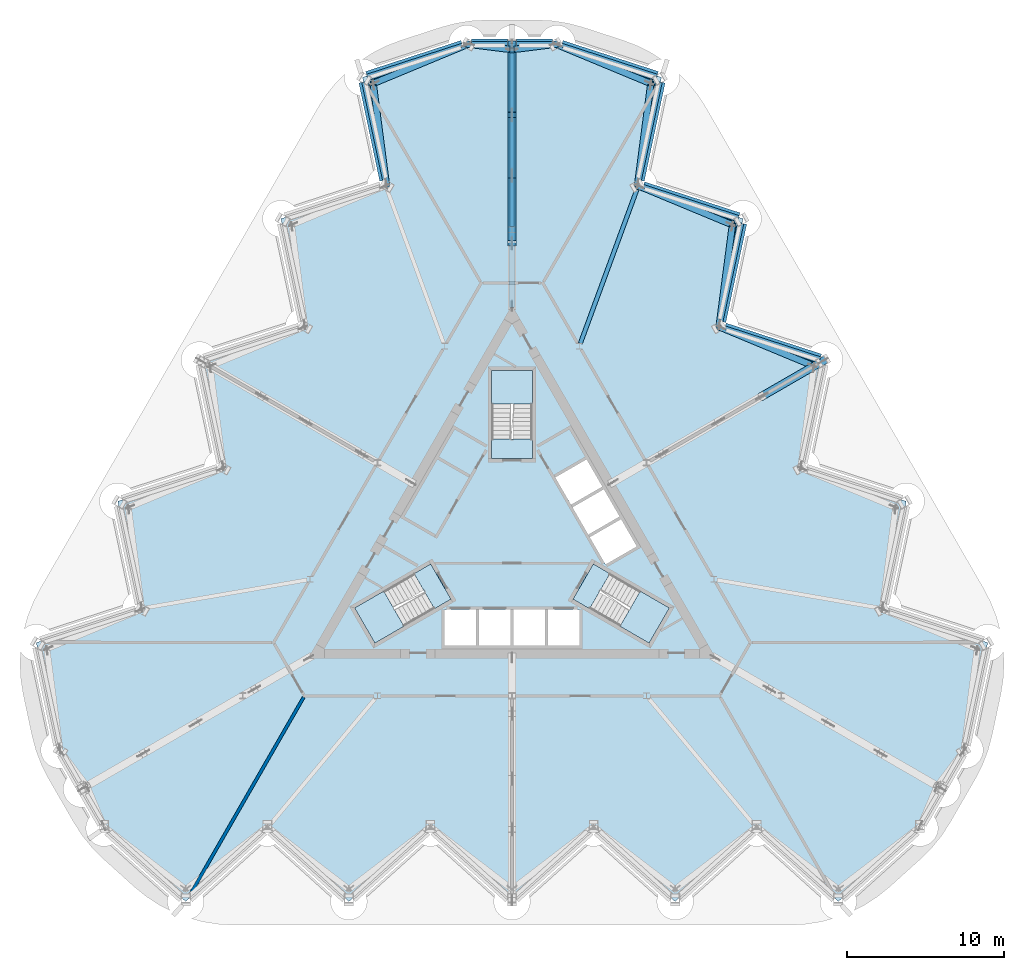
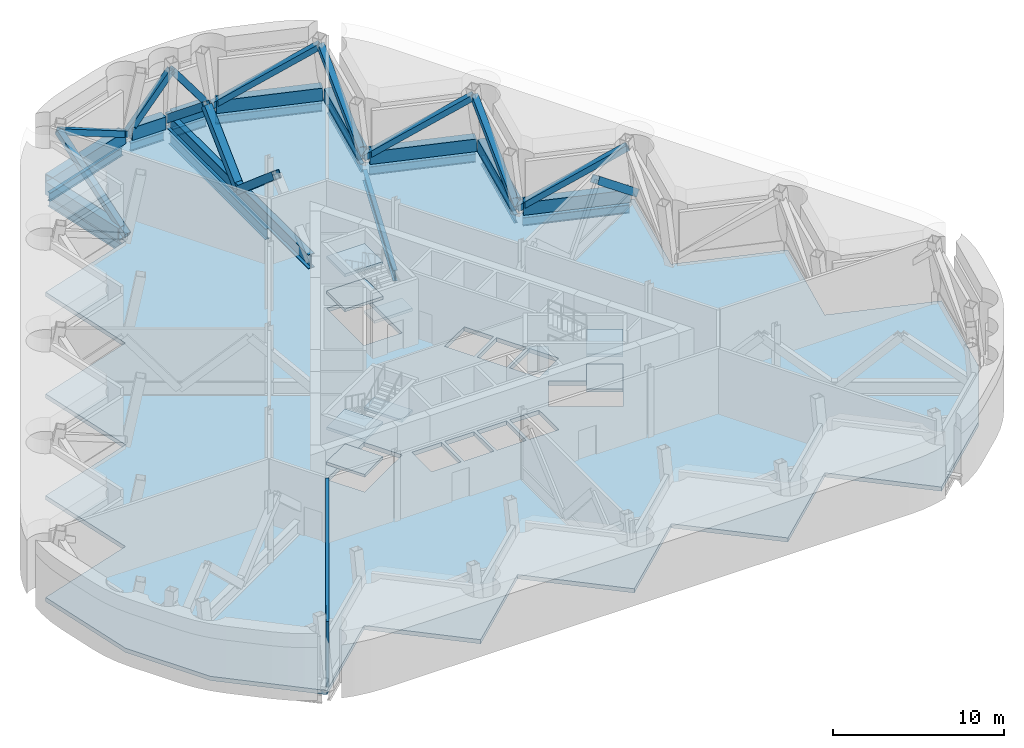
# One storey, part 6 of 16: 23 members, 11 beams, 10 slabs, 1 wall, 3 elements without a shape of their own.
"""IFC4 building model written with IfcOpenShell, lengths in metres."""

from ifc_helpers import new_model, si_unit, direction, frame, frame_2d, origin, origin_2d, place, context, subcontext, project, spatial, polyline, rectangle, hollow_rectangle, i_section, outline, extrude, material, layer, layer_set, material_profile, profile_set, type_object, element, aggregate, save


model = new_model("IFC4")

# Units and contexts
model_context = context("Model", 3, precision=1e-05, world=origin(), true_north=direction((0.0, 1.0)))
body_context = subcontext(model_context, "Body", "Model", "MODEL_VIEW")
ifc_project = project(units=[si_unit("LENGTHUNIT", "METRE"), si_unit("AREAUNIT", "SQUARE_METRE"), si_unit("VOLUMEUNIT", "CUBIC_METRE"), si_unit("PLANEANGLEUNIT", "RADIAN"), si_unit("MASSUNIT", "GRAM", prefix="KILO")], contexts=[model_context])

# Site, building, storey
site_placement = place(None, origin())
site = spatial("IfcSite", under=ifc_project, at=site_placement, CompositionType="ELEMENT")
building_placement = place(site_placement, origin())
building = spatial("IfcBuilding", under=site, at=building_placement, Name="Cormorant Prow Tower", CompositionType="ELEMENT")
storey_placement = place(building_placement, frame((0.0, 0.0, 356.0)))
storey = spatial("IfcBuildingStorey", under=building, at=storey_placement, Name="L79", CompositionType="ELEMENT", Elevation=356.0)

# Members
ifc_material_1 = material(Name="Structural steel ASTM A572 Gr 50", Category="steel")
ifc_material_profile_1 = material_profile(ifc_material_1, hollow_rectangle(XDim=0.60009765625, YDim=0.89990234375, WallThickness=0.06005859375, at=origin_2d()), Name="Box 900x600x60")
ifc_profile_set_1 = profile_set([ifc_material_profile_1], Name="Structural steel ASTM A572 Gr 50")
member_type_1 = type_object("IfcMemberType", Name="Belt truss bottom chord 900x600x60", PredefinedType="CHORD", material=ifc_profile_set_1)
for number, where, z_axis, x_axis, name in (
    (1, (19.640380859375, 11.5966796875, 0.449951171875), (-0.95105314132, 0.309027381286, 0.0), (-0.309027381286, -0.95105314132, 0.0), "Belt truss bottom chord ENE05-ENE06 L79"),
    (2, (13.334228515625, 13.95947265625, 0.449951171875), (0.207920386839, 0.978145752297, 0.0), (-0.978145752297, 0.207920386839, 0.0), "Belt truss bottom chord ENE06-ENE07 L79"),
    (3, (14.441162109375, 20.601806640625, 0.449951171875), (-0.95105314132, 0.309027381286, 0.0), (-0.309027381286, -0.95105314132, 0.0), "Belt truss bottom chord ENE07-ENE08 L79"),
):
    element("IfcMember", number, at=place(storey_placement, frame(where, z_axis=z_axis, x_axis=x_axis)), inside=storey, type_object=member_type_1, Name=name, PredefinedType="CHORD", context=body_context, shape_type="SweptSolid", body=[
        extrude(hollow_rectangle(XDim=0.60009765625, YDim=0.89990234375, WallThickness=0.06005859375, at=origin_2d()), origin(), (0.0, 0.0, 1.0), 6.39599609375),
    ])
member_1_placement = place(storey_placement, frame((8.13525390625, 22.96435546875, 0.449951171875), z_axis=(0.20791262393, 0.978147402394, 0.0), x_axis=(-0.978147402394, 0.20791262393, 0.0)))
element("IfcMember", 4, at=member_1_placement, inside=storey, type_object=member_type_1, Name="Belt truss bottom chord ENE08-ENE09 L79", PredefinedType="CHORD", context=body_context, shape_type="SweptSolid", body=[
    extrude(hollow_rectangle(XDim=0.60009765625, YDim=0.89990234375, WallThickness=0.06005859375, at=origin_2d()), origin(), (0.0, 0.0, 1.0), 6.396240234375),
])
member_2_placement = place(storey_placement, frame((9.2421875, 29.60693359375, 0.449951171875), z_axis=(-0.951064359156, 0.308992855489, 0.0), x_axis=(-0.308992855489, -0.951064359156, 0.0)))
element("IfcMember", 5, at=member_2_placement, inside=storey, type_object=member_type_1, Name="Belt truss bottom chord ENE09-N00 L79", PredefinedType="CHORD", context=body_context, shape_type="SweptSolid", body=[
    extrude(hollow_rectangle(XDim=0.60009765625, YDim=0.89990234375, WallThickness=0.06005859375, at=origin_2d()), origin(), (0.0, 0.0, 1.0), 6.39599609375),
])
for number, where, z_axis, x_axis, name in (
    (6, (2.57373046875, 31.676025390625, 0.449951171875), (-1.0, 0.0, 0.0), (0.0, -1.0, 0.0), "Belt truss bottom chord N00-N01 L79"),
    (7, (-0.300048828125, 31.676025390625, 0.449951171875), (-1.0, 0.0, 0.0), (0.0, -1.0, 0.0), "Belt truss bottom chord N01-WNW00 L79"),
):
    element("IfcMember", number, at=place(storey_placement, frame(where, z_axis=z_axis, x_axis=x_axis)), inside=storey, type_object=member_type_1, Name=name, PredefinedType="CHORD", context=body_context, shape_type="SweptSolid", body=[
        extrude(hollow_rectangle(XDim=0.60009765625, YDim=0.89990234375, WallThickness=0.06005859375, at=origin_2d()), origin(), (0.0, 0.0, 1.0), 2.273681640625),
    ])
member_3_placement = place(storey_placement, frame((-3.1591796875, 31.583251953125, 0.449951171875), z_axis=(-0.951064359156, -0.308992855489, 0.0), x_axis=(0.308992855489, -0.951064359156, 0.0)))
element("IfcMember", 8, at=member_3_placement, inside=storey, type_object=member_type_1, Name="Belt truss bottom chord WNW00-WNW01 L79", PredefinedType="CHORD", context=body_context, shape_type="SweptSolid", body=[
    extrude(hollow_rectangle(XDim=0.60009765625, YDim=0.89990234375, WallThickness=0.06005859375, at=origin_2d()), origin(), (0.0, 0.0, 1.0), 6.39599609375),
])
member_4_placement = place(storey_placement, frame((-9.465087890625, 29.220703125, 0.449951171875), z_axis=(0.20791262393, -0.978147402394, 0.0), x_axis=(0.978147402394, 0.20791262393, 0.0)))
element("IfcMember", 9, at=member_4_placement, inside=storey, type_object=member_type_1, Name="Belt truss bottom chord WNW01-WNW02 L79", PredefinedType="CHORD", context=body_context, shape_type="SweptSolid", body=[
    extrude(hollow_rectangle(XDim=0.60009765625, YDim=0.89990234375, WallThickness=0.06005859375, at=origin_2d()), origin(), (0.0, 0.0, 1.0), 6.396240234375),
])
ifc_material_2 = material(Name="Structural steel ASTM A500 Gr C", Category="steel")
ifc_material_profile_2 = material_profile(ifc_material_2, hollow_rectangle(XDim=0.406494140625, YDim=0.406494140625, WallThickness=0.014892578125, at=origin_2d()), Name="HSS16x16x5/8")
ifc_profile_set_2 = profile_set([ifc_material_profile_2], Name="Structural steel ASTM A500 Gr C")
member_type_2 = type_object("IfcMemberType", Name="Belt truss diagonal HSS16x16x5/8", PredefinedType="BRACE", material=ifc_profile_set_2)
member_5_placement = place(storey_placement, frame((13.2001953125, 13.62451171875, 0.449951171875), z_axis=(0.798787801152, -0.331710403296, 0.501902637047), x_axis=(0.383513875385, 0.923535114323, 0.0)))
element("IfcMember", 10, at=member_5_placement, inside=storey, type_object=member_type_2, Name="Belt truss diagonal ENE05-ENE06 L79", PredefinedType="BRACE", context=body_context, shape_type="SweptSolid", body=[
    extrude(hollow_rectangle(XDim=0.406494140625, YDim=0.406494140625, WallThickness=0.014892578125, at=origin_2d()), origin(), (0.0, 0.0, 1.0), 7.5712890625),
])
member_6_placement = place(storey_placement, frame((8.0009765625, 22.6298828125, 0.449951171875), z_axis=(0.798798631577, -0.331612689887, 0.501949967723), x_axis=(0.383413077879, 0.923576965776, 0.0)))
element("IfcMember", 11, at=member_6_placement, inside=storey, type_object=member_type_2, Name="Belt truss diagonal ENE07-ENE08 L79", PredefinedType="BRACE", context=body_context, shape_type="SweptSolid", body=[
    extrude(hollow_rectangle(XDim=0.406494140625, YDim=0.406494140625, WallThickness=0.014892578125, at=origin_2d()), origin(), (0.0, 0.0, 1.0), 7.570556640625),
])
member_7_placement = place(storey_placement, frame((2.8017578125, 31.635009765625, 0.449951171875), z_axis=(0.798806322925, -0.331494786895, 0.502015602064), x_axis=(0.383293639898, 0.92362654012, 0.0)))
element("IfcMember", 12, at=member_7_placement, inside=storey, type_object=member_type_2, Name="Belt truss diagonal ENE09-N00 L79", PredefinedType="BRACE", context=body_context, shape_type="SweptSolid", body=[
    extrude(hollow_rectangle(XDim=0.406494140625, YDim=0.406494140625, WallThickness=0.014892578125, at=origin_2d()), origin(), (0.0, 0.0, 1.0), 7.569580078125),
])
member_8_placement = place(storey_placement, frame((-2.8017578125, 31.635009765625, 0.449951171875), z_axis=(0.591839709408, -0.073283742338, 0.802717416951), x_axis=(0.122885159909, 0.992420897338, 0.0)))
element("IfcMember", 13, at=member_8_placement, inside=storey, type_object=member_type_2, Name="Belt truss diagonal N01-WNW00 L79", PredefinedType="BRACE", context=body_context, shape_type="SweptSolid", body=[
    extrude(hollow_rectangle(XDim=0.406494140625, YDim=0.406494140625, WallThickness=0.014892578125, at=origin_2d()), origin(), (0.0, 0.0, 1.0), 4.73388671875),
])
member_9_placement = place(storey_placement, frame((-8.0009765625, 22.6298828125, 0.449951171875), z_axis=(-0.111895021285, 0.8577328814, 0.501770673093), x_axis=(-0.991597917212, -0.129358303102, 0.0)))
element("IfcMember", 14, at=member_9_placement, inside=storey, type_object=member_type_2, Name="Belt truss diagonal WNW01-WNW02 L79", PredefinedType="BRACE", context=body_context, shape_type="SweptSolid", body=[
    extrude(hollow_rectangle(XDim=0.406494140625, YDim=0.406494140625, WallThickness=0.014892578125, at=origin_2d()), origin(), (0.0, 0.0, 1.0), 7.5732421875),
])
ifc_material_3 = material(Name="Structural steel ASTM A500 Gr C", Category="steel")
ifc_material_profile_3 = material_profile(ifc_material_3, hollow_rectangle(XDim=0.406494140625, YDim=0.406494140625, WallThickness=0.014892578125, at=origin_2d()), Name="HSS16x16x5/8")
ifc_profile_set_3 = profile_set([ifc_material_profile_3], Name="Structural steel ASTM A500 Gr C")
member_type_3 = type_object("IfcMemberType", Name="Belt truss strut HSS16x16x5/8", PredefinedType="STRUT", material=ifc_profile_set_3)
member_10_placement = place(storey_placement, frame((13.2001953125, 13.62451171875, 0.449951171875), z_axis=(0.112002907582, 0.857689507886, 0.501820741655), x_axis=(-0.991581070661, 0.129487375088, 0.0)))
element("IfcMember", 15, at=member_10_placement, inside=storey, type_object=member_type_3, Name="Belt truss strut ENE06-ENE07 L79", PredefinedType="STRUT", context=body_context, shape_type="SweptSolid", body=[
    extrude(hollow_rectangle(XDim=0.406494140625, YDim=0.406494140625, WallThickness=0.014892578125, at=origin_2d()), origin(), (0.0, 0.0, 1.0), 7.572509765625),
])
member_11_placement = place(storey_placement, frame((8.0009765625, 22.6298828125, 0.449951171875), z_axis=(0.111895021285, 0.8577328814, 0.501770673093), x_axis=(-0.991597917212, 0.129358303102, 0.0)))
element("IfcMember", 16, at=member_11_placement, inside=storey, type_object=member_type_3, Name="Belt truss strut ENE08-ENE09 L79", PredefinedType="STRUT", context=body_context, shape_type="SweptSolid", body=[
    extrude(hollow_rectangle(XDim=0.406494140625, YDim=0.406494140625, WallThickness=0.014892578125, at=origin_2d()), origin(), (0.0, 0.0, 1.0), 7.5732421875),
])
member_12_placement = place(storey_placement, frame((2.8017578125, 31.635009765625, 0.449951171875), z_axis=(-0.591839709408, -0.073283742338, 0.802717416951), x_axis=(0.122885159909, -0.992420897338, 0.0)))
element("IfcMember", 17, at=member_12_placement, inside=storey, type_object=member_type_3, Name="Belt truss strut N00-N01 L79", PredefinedType="STRUT", context=body_context, shape_type="SweptSolid", body=[
    extrude(hollow_rectangle(XDim=0.406494140625, YDim=0.406494140625, WallThickness=0.014892578125, at=origin_2d()), origin(), (0.0, 0.0, 1.0), 4.73388671875),
])
member_13_placement = place(storey_placement, frame((-2.8017578125, 31.635009765625, 0.449951171875), z_axis=(-0.798806322925, -0.331494786895, 0.502015602064), x_axis=(0.383293639898, -0.92362654012, 0.0)))
element("IfcMember", 18, at=member_13_placement, inside=storey, type_object=member_type_3, Name="Belt truss strut WNW00-WNW01 L79", PredefinedType="STRUT", context=body_context, shape_type="SweptSolid", body=[
    extrude(hollow_rectangle(XDim=0.406494140625, YDim=0.406494140625, WallThickness=0.014892578125, at=origin_2d()), origin(), (0.0, 0.0, 1.0), 7.569580078125),
])
ifc_material_4 = material(Name="Structural steel ASTM A992 Gr 50", Category="steel")
ifc_material_profile_4 = material_profile(ifc_material_4, i_section(OverallWidth=0.39990234375, OverallDepth=1.000244140625, WebThickness=0.01904296875, FlangeThickness=0.0361328125, at=origin_2d()), Name="W40x249")
ifc_profile_set_4 = profile_set([ifc_material_profile_4], Name="Structural steel ASTM A992 Gr 50")
member_type_4 = type_object("IfcMemberType", Name="Outrigger chord W40x249", PredefinedType="CHORD", material=ifc_profile_set_4)
member_14_placement = place(storey_placement, frame((0.0, 14.861083984375, 0.500244140625), z_axis=(0.0, 1.0, 0.0), x_axis=(-1.0, 0.0, 0.0)))
element("IfcMember", 19, at=member_14_placement, inside=storey, type_object=member_type_4, Name="Outrigger bottom chord 1 L79", PredefinedType="CHORD", context=body_context, shape_type="SweptSolid", body=[
    extrude(i_section(OverallWidth=0.39990234375, OverallDepth=1.000244140625, WebThickness=0.01904296875, FlangeThickness=0.0361328125, at=origin_2d()), origin(), (0.0, 0.0, 1.0), 16.81494140625),
])
ifc_material_5 = material(Name="Structural steel ASTM A500 Gr C", Category="steel")
ifc_material_profile_5 = material_profile(ifc_material_5, hollow_rectangle(XDim=0.508056640625, YDim=0.508056640625, WallThickness=0.014892578125, at=origin_2d()), Name="HSS20x20x5/8")
ifc_profile_set_5 = profile_set([ifc_material_profile_5], Name="Structural steel ASTM A500 Gr C")
member_type_5 = type_object("IfcMemberType", Name="Outrigger diagonal HSS20x20x5/8", PredefinedType="BRACE", material=ifc_profile_set_5)
member_15_placement = place(storey_placement, frame((0.0, 23.2685546875, 0.500244140625), z_axis=(0.0, 0.722056619944, 0.691833966783), x_axis=(-1.0, 0.0, 0.0)))
element("IfcMember", 20, at=member_15_placement, inside=storey, type_object=member_type_5, Name="Outrigger diagonal 1.3 L79", PredefinedType="BRACE", context=body_context, shape_type="SweptSolid", body=[
    extrude(hollow_rectangle(XDim=0.508056640625, YDim=0.508056640625, WallThickness=0.014892578125, at=origin_2d()), origin(), (0.0, 0.0, 1.0), 5.34765625),
])
ifc_material_6 = material(Name="Structural steel ASTM A500 Gr C", Category="steel")
ifc_material_profile_6 = material_profile(ifc_material_6, hollow_rectangle(XDim=0.508056640625, YDim=0.508056640625, WallThickness=0.014892578125, at=origin_2d()), Name="HSS20x20x5/8")
ifc_profile_set_6 = profile_set([ifc_material_profile_6], Name="Structural steel ASTM A500 Gr C")
member_type_6 = type_object("IfcMemberType", Name="Outrigger strut HSS20x20x5/8", PredefinedType="STRUT", material=ifc_profile_set_6)
member_16_placement = place(storey_placement, frame((0.0, 18.95068359375, 4.199951171875), z_axis=(0.0, 0.759371760841, -0.650656997839), x_axis=(-1.0, 0.0, 0.0)))
element("IfcMember", 21, at=member_16_placement, inside=storey, type_object=member_type_6, Name="Outrigger strut 1.2 L79", PredefinedType="STRUT", context=body_context, shape_type="SweptSolid", body=[
    extrude(hollow_rectangle(XDim=0.508056640625, YDim=0.508056640625, WallThickness=0.014892578125, at=origin_2d()), origin(), (0.0, 0.0, 1.0), 5.68603515625),
])
member_17_placement = place(storey_placement, frame((0.0, 27.1298828125, 4.199951171875), z_axis=(0.0, 0.775615591212, -0.631205556588), x_axis=(-1.0, 0.0, 0.0)))
element("IfcMember", 22, at=member_17_placement, inside=storey, type_object=member_type_6, Name="Outrigger strut 1.4 L79", PredefinedType="STRUT", context=body_context, shape_type="SweptSolid", body=[
    extrude(hollow_rectangle(XDim=0.508056640625, YDim=0.508056640625, WallThickness=0.014892578125, at=origin_2d()), origin(), (0.0, 0.0, 1.0), 5.861328125),
])
member_18_placement = place(storey_placement, frame((15.93896484375, 9.202392578125, 4.199951171875), z_axis=(0.675024636237, 0.389744152761, -0.626451303664), x_axis=(-0.500017798088, 0.866015127809, 0.0)))
element("IfcMember", 23, at=member_18_placement, inside=storey, type_object=member_type_6, Name="Outrigger strut 6.4 L79", PredefinedType="STRUT", context=body_context, shape_type="SweptSolid", body=[
    extrude(hollow_rectangle(XDim=0.508056640625, YDim=0.508056640625, WallThickness=0.014892578125, at=origin_2d()), origin(), (0.0, 0.0, 1.0), 5.90576171875),
])

# Beams
ifc_material_7 = material(Name="Structural steel ASTM A992 Gr 50", Category="steel")
ifc_material_profile_7 = material_profile(ifc_material_7, i_section(OverallWidth=0.267822265625, OverallDepth=0.77001953125, WebThickness=0.015625, FlangeThickness=0.025390625, at=origin_2d()), Name="W30x132")
ifc_profile_set_7 = profile_set([ifc_material_profile_7], Name="Structural steel ASTM A992 Gr 50")
beam_type_1 = type_object("IfcBeamType", Name="Radial floor beam W30x132", PredefinedType="BEAM", material=ifc_profile_set_7)
beam_1_placement = place(storey_placement, frame((0.0, 20.0087890625, -0.68505859375), z_axis=(0.0, 1.0, 0.0), x_axis=(-1.0, 0.0, 0.0)))
element("IfcBeam", 24, at=beam_1_placement, inside=storey, type_object=beam_type_1, Name="Radial floor beam FB3 1 L79", PredefinedType="BEAM", context=body_context, shape_type="SweptSolid", body=[
    extrude(i_section(OverallWidth=0.267822265625, OverallDepth=0.77001953125, WebThickness=0.015625, FlangeThickness=0.025390625, at=origin_2d()), origin(), (0.0, 0.0, 1.0), 11.3671875),
])
beam_2_placement = place(storey_placement, frame((4.357421875, 12.5673828125, -0.68505859375), z_axis=(0.345131226703, 0.938554439739, 0.0), x_axis=(-0.938554439739, 0.345131226703, 0.0)))
element("IfcBeam", 25, at=beam_2_placement, inside=storey, type_object=beam_type_1, Name="Radial floor beam FB3 12 L79", PredefinedType="BEAM", context=body_context, shape_type="SweptSolid", body=[
    extrude(i_section(OverallWidth=0.267822265625, OverallDepth=0.77001953125, WebThickness=0.015625, FlangeThickness=0.025390625, at=origin_2d()), origin(), (0.0, 0.0, 1.0), 10.465087890625),
])
ifc_material_8 = material(Name="Structural steel ASTM A992 Gr 50", Category="steel")
ifc_material_profile_8 = material_profile(ifc_material_8, i_section(OverallWidth=0.22900390625, OverallDepth=0.612060546875, WebThickness=0.011962890625, FlangeThickness=0.01953125, at=origin_2d()), Name="W24x84")
ifc_profile_set_8 = profile_set([ifc_material_profile_8], Name="Structural steel ASTM A992 Gr 50")
beam_type_2 = type_object("IfcBeamType", Name="Spandrel beam W24x84", PredefinedType="SPANDREL", material=ifc_profile_set_8)
for number, where, z_axis, x_axis, name in (
    (26, (19.640380859375, 11.5966796875, -0.60595703125), (-0.95105314132, 0.309027381286, 0.0), (-0.309027381286, -0.95105314132, 0.0), "Spandrel beam SB3 ENE05-ENE06 L79"),
    (27, (13.334228515625, 13.95947265625, -0.60595703125), (0.207920386839, 0.978145752297, 0.0), (-0.978145752297, 0.207920386839, 0.0), "Spandrel beam SB3 ENE06-ENE07 L79"),
    (28, (14.441162109375, 20.601806640625, -0.60595703125), (-0.95105314132, 0.309027381286, 0.0), (-0.309027381286, -0.95105314132, 0.0), "Spandrel beam SB3 ENE07-ENE08 L79"),
):
    element("IfcBeam", number, at=place(storey_placement, frame(where, z_axis=z_axis, x_axis=x_axis)), inside=storey, type_object=beam_type_2, Name=name, PredefinedType="SPANDREL", context=body_context, shape_type="SweptSolid", body=[
        extrude(i_section(OverallWidth=0.22900390625, OverallDepth=0.612060546875, WebThickness=0.011962890625, FlangeThickness=0.01953125, at=origin_2d()), origin(), (0.0, 0.0, 1.0), 6.39599609375),
    ])
beam_3_placement = place(storey_placement, frame((8.13525390625, 22.96435546875, -0.60595703125), z_axis=(0.20791262393, 0.978147402394, 0.0), x_axis=(-0.978147402394, 0.20791262393, 0.0)))
element("IfcBeam", 29, at=beam_3_placement, inside=storey, type_object=beam_type_2, Name="Spandrel beam SB3 ENE08-ENE09 L79", PredefinedType="SPANDREL", context=body_context, shape_type="SweptSolid", body=[
    extrude(i_section(OverallWidth=0.22900390625, OverallDepth=0.612060546875, WebThickness=0.011962890625, FlangeThickness=0.01953125, at=origin_2d()), origin(), (0.0, 0.0, 1.0), 6.396240234375),
])
beam_4_placement = place(storey_placement, frame((9.2421875, 29.60693359375, -0.60595703125), z_axis=(-0.951064359156, 0.308992855489, 0.0), x_axis=(-0.308992855489, -0.951064359156, 0.0)))
element("IfcBeam", 30, at=beam_4_placement, inside=storey, type_object=beam_type_2, Name="Spandrel beam SB3 ENE09-N00 L79", PredefinedType="SPANDREL", context=body_context, shape_type="SweptSolid", body=[
    extrude(i_section(OverallWidth=0.22900390625, OverallDepth=0.612060546875, WebThickness=0.011962890625, FlangeThickness=0.01953125, at=origin_2d()), origin(), (0.0, 0.0, 1.0), 6.39599609375),
])
for number, where, z_axis, x_axis, name in (
    (31, (2.57373046875, 31.676025390625, -0.60595703125), (-1.0, 0.0, 0.0), (0.0, -1.0, 0.0), "Spandrel beam SB3 N00-N01 L79"),
    (32, (-0.300048828125, 31.676025390625, -0.60595703125), (-1.0, 0.0, 0.0), (0.0, -1.0, 0.0), "Spandrel beam SB3 N01-WNW00 L79"),
):
    element("IfcBeam", number, at=place(storey_placement, frame(where, z_axis=z_axis, x_axis=x_axis)), inside=storey, type_object=beam_type_2, Name=name, PredefinedType="SPANDREL", context=body_context, shape_type="SweptSolid", body=[
        extrude(i_section(OverallWidth=0.22900390625, OverallDepth=0.612060546875, WebThickness=0.011962890625, FlangeThickness=0.01953125, at=origin_2d()), origin(), (0.0, 0.0, 1.0), 2.273681640625),
    ])
beam_5_placement = place(storey_placement, frame((-3.1591796875, 31.583251953125, -0.60595703125), z_axis=(-0.951064359156, -0.308992855489, 0.0), x_axis=(0.308992855489, -0.951064359156, 0.0)))
element("IfcBeam", 33, at=beam_5_placement, inside=storey, type_object=beam_type_2, Name="Spandrel beam SB3 WNW00-WNW01 L79", PredefinedType="SPANDREL", context=body_context, shape_type="SweptSolid", body=[
    extrude(i_section(OverallWidth=0.22900390625, OverallDepth=0.612060546875, WebThickness=0.011962890625, FlangeThickness=0.01953125, at=origin_2d()), origin(), (0.0, 0.0, 1.0), 6.39599609375),
])
beam_6_placement = place(storey_placement, frame((-9.465087890625, 29.220703125, -0.60595703125), z_axis=(0.20791262393, -0.978147402394, 0.0), x_axis=(0.978147402394, 0.20791262393, 0.0)))
element("IfcBeam", 34, at=beam_6_placement, inside=storey, type_object=beam_type_2, Name="Spandrel beam SB3 WNW01-WNW02 L79", PredefinedType="SPANDREL", context=body_context, shape_type="SweptSolid", body=[
    extrude(i_section(OverallWidth=0.22900390625, OverallDepth=0.612060546875, WebThickness=0.011962890625, FlangeThickness=0.01953125, at=origin_2d()), origin(), (0.0, 0.0, 1.0), 6.396240234375),
])

# Slab
ifc_material_9 = material(Name="Concrete C40/50", Category="concrete")
ifc_layer_1 = layer(ifc_material_9, 0.300048828125)
ifc_layer_set_1 = layer_set([ifc_layer_1], Name="Concrete C40/50")
slab_type_1 = type_object("IfcSlabType", Name="Post-tensioned flat slab 300", PredefinedType="FLOOR", material=ifc_layer_set_1)
slab_1_placement = place(storey_placement, frame((0.0, 0.0, -0.300048828125)))
element("IfcSlab", 35, at=slab_1_placement, inside=storey, type_object=slab_type_1, Name="Floor slab L79", PredefinedType="FLOOR", context=body_context, shape_type="SweptSolid", body=[
    extrude(outline(polyline([(-8.072998046875, 22.6708984375), (-14.7265625, 20.509033203125), (-13.27197265625, 13.666015625), (-19.925537109375, 11.504150390625), (-18.470947265625, 4.660888671875), (-25.124755859375, 2.4990234375), (-23.670166015625, -4.34423828125), (-30.32373046875, -6.506103515625), (-28.869140625, -13.349365234375), (-27.432373046875, -15.838134765625), (-25.995361328125, -18.326904296875), (-20.79638671875, -23.008056640625), (-15.59716796875, -18.326904296875), (-10.398193359375, -23.008056640625), (-5.198974609375, -18.326904296875), (0.0, -23.008056640625), (5.198974609375, -18.326904296875), (10.398193359375, -23.008056640625), (15.59716796875, -18.326904296875), (20.79638671875, -23.008056640625), (25.995361328125, -18.326904296875), (27.432373046875, -15.838134765625), (28.869140625, -13.349365234375), (30.32373046875, -6.506103515625), (23.670166015625, -4.34423828125), (25.124755859375, 2.4990234375), (18.470947265625, 4.660888671875), (19.925537109375, 11.504150390625), (13.27197265625, 13.666015625), (14.7265625, 20.509033203125), (8.072998046875, 22.6708984375), (9.52734375, 29.51416015625), (2.873779296875, 31.676025390625), (0.0, 31.676025390625), (-2.873779296875, 31.676025390625), (-9.52734375, 29.51416015625), (-8.072998046875, 22.6708984375)]), holes=[polyline([(-4.300048828125, -4.39990234375), (-2.300048828125, -4.39990234375), (-2.300048828125, -6.699951171875), (-4.300048828125, -6.699951171875), (-4.300048828125, -4.39990234375)]), polyline([(-0.10009765625, -4.39990234375), (-0.10009765625, -6.699951171875), (-2.10009765625, -6.699951171875), (-2.10009765625, -4.39990234375), (-0.10009765625, -4.39990234375)]), polyline([(2.10009765625, -6.699951171875), (0.10009765625, -6.699951171875), (0.10009765625, -4.39990234375), (2.10009765625, -4.39990234375), (2.10009765625, -6.699951171875)]), polyline([(2.300048828125, -6.699951171875), (2.300048828125, -4.39990234375), (4.300048828125, -4.39990234375), (4.300048828125, -6.699951171875), (2.300048828125, -6.699951171875)]), polyline([(5.96044921875, -1.52392578125), (4.96044921875, 0.2080078125), (6.952392578125, 1.358154296875), (7.952392578125, -0.373779296875), (5.96044921875, -1.52392578125)]), polyline([(3.860595703125, 2.11328125), (5.852294921875, 3.263427734375), (6.852294921875, 1.53125), (4.860595703125, 0.38134765625), (3.860595703125, 2.11328125)]), polyline([(4.75244140625, 5.168701171875), (5.75244140625, 3.4365234375), (3.760498046875, 2.28662109375), (2.760498046875, 4.018798828125), (4.75244140625, 5.168701171875)]), polyline([(-4.947509765625, -4.3505859375), (-8.738037109375, -6.5390625), (-10.031982421875, -4.2978515625), (-6.241455078125, -2.109375), (-4.947509765625, -4.3505859375)]), polyline([(10.031982421875, -4.2978515625), (8.738037109375, -6.5390625), (4.947509765625, -4.3505859375), (6.241455078125, -2.109375), (10.031982421875, -4.2978515625)]), polyline([(1.2939453125, 10.8369140625), (1.2939453125, 6.459716796875), (-1.2939453125, 6.459716796875), (-1.2939453125, 10.8369140625), (1.2939453125, 10.8369140625)])]), origin(), (0.0, 0.0, 1.0), 0.300048828125),
])

# Stair, slabs
ifc_material_10 = material(Name="Exit stair 36 risers")
stair_type = type_object("IfcStairType", Name="Exit stair 36 risers", PredefinedType="HALF_TURN_STAIR", material=ifc_material_10)
stair_1_placement = place(storey_placement, origin())
stair_1 = element("IfcStair", 36, at=stair_1_placement, inside=storey, type_object=stair_type, Name="L79 Exit stair ST1", PredefinedType="HALF_TURN_STAIR")
ifc_material_11 = material(Name="Concrete 5000 psi", Category="concrete")
ifc_layer_2 = layer(ifc_material_11, 0.199951171875)
ifc_layer_set_2 = layer_set([ifc_layer_2], Name="Concrete 5000 psi")
slab_type_2 = type_object("IfcSlabType", Name="Stair landing 200", PredefinedType="LANDING", material=ifc_layer_set_2)
slab_2_placement = place(storey_placement, frame((0.0, 0.0, 1.050048828125)))
slab_2 = element("IfcSlab", 37, at=slab_2_placement, type_object=slab_type_2, Name="ST1 landing 1", PredefinedType="LANDING", context=body_context, shape_type="SweptSolid", body=[
    extrude(outline(polyline([(-8.17431640625, -3.225341796875), (-10.031982421875, -4.2978515625), (-8.738037109375, -6.5390625), (-6.88037109375, -5.466552734375), (-8.17431640625, -3.225341796875)])), origin(), (0.0, 0.0, 1.0), 0.199951171875),
])
slab_3_placement = place(storey_placement, frame((0.0, 0.0, 2.300048828125)))
slab_3 = element("IfcSlab", 38, at=slab_3_placement, type_object=slab_type_2, Name="ST1 landing 2", PredefinedType="LANDING", context=body_context, shape_type="SweptSolid", body=[
    extrude(outline(polyline([(-5.18212890625, -1.497802734375), (-6.241455078125, -2.109375), (-4.947265625, -4.3505859375), (-3.88818359375, -3.739013671875), (-5.18212890625, -1.497802734375)])), origin(), (0.0, 0.0, 1.0), 0.199951171875),
])
slab_4_placement = place(storey_placement, frame((0.0, 0.0, 3.550048828125)))
slab_4 = element("IfcSlab", 39, at=slab_4_placement, type_object=slab_type_2, Name="ST1 landing 3", PredefinedType="LANDING", context=body_context, shape_type="SweptSolid", body=[
    extrude(outline(polyline([(-8.17431640625, -3.225341796875), (-10.031982421875, -4.2978515625), (-8.738037109375, -6.5390625), (-6.88037109375, -5.466552734375), (-8.17431640625, -3.225341796875)])), origin(), (0.0, 0.0, 1.0), 0.199951171875),
])
aggregate(stair_1, [slab_2, slab_3, slab_4])

stair_2_placement = place(storey_placement, origin())
stair_2 = element("IfcStair", 40, at=stair_2_placement, inside=storey, type_object=stair_type, Name="L79 Exit stair ST2", PredefinedType="HALF_TURN_STAIR")
slab_5_placement = place(storey_placement, frame((0.0, 0.0, 1.050048828125)))
slab_5 = element("IfcSlab", 41, at=slab_5_placement, type_object=slab_type_2, Name="ST2 landing 1", PredefinedType="LANDING", context=body_context, shape_type="SweptSolid", body=[
    extrude(outline(polyline([(6.88037109375, -5.466552734375), (8.738037109375, -6.5390625), (10.031982421875, -4.2978515625), (8.17431640625, -3.225341796875), (6.88037109375, -5.466552734375)])), origin(), (0.0, 0.0, 1.0), 0.199951171875),
])
slab_6_placement = place(storey_placement, frame((0.0, 0.0, 2.300048828125)))
slab_6 = element("IfcSlab", 42, at=slab_6_placement, type_object=slab_type_2, Name="ST2 landing 2", PredefinedType="LANDING", context=body_context, shape_type="SweptSolid", body=[
    extrude(outline(polyline([(3.88818359375, -3.739013671875), (4.947265625, -4.3505859375), (6.241455078125, -2.109375), (5.18212890625, -1.497802734375), (3.88818359375, -3.739013671875)])), origin(), (0.0, 0.0, 1.0), 0.199951171875),
])
slab_7_placement = place(storey_placement, frame((0.0, 0.0, 3.550048828125)))
slab_7 = element("IfcSlab", 43, at=slab_7_placement, type_object=slab_type_2, Name="ST2 landing 3", PredefinedType="LANDING", context=body_context, shape_type="SweptSolid", body=[
    extrude(outline(polyline([(6.88037109375, -5.466552734375), (8.738037109375, -6.5390625), (10.031982421875, -4.2978515625), (8.17431640625, -3.225341796875), (6.88037109375, -5.466552734375)])), origin(), (0.0, 0.0, 1.0), 0.199951171875),
])
aggregate(stair_2, [slab_5, slab_6, slab_7])

stair_3_placement = place(storey_placement, origin())
stair_3 = element("IfcStair", 44, at=stair_3_placement, inside=storey, type_object=stair_type, Name="L79 Exit stair ST3", PredefinedType="HALF_TURN_STAIR")
slab_8_placement = place(storey_placement, frame((0.0, 0.0, 1.050048828125)))
slab_8 = element("IfcSlab", 45, at=slab_8_placement, type_object=slab_type_2, Name="ST3 landing 1", PredefinedType="LANDING", context=body_context, shape_type="SweptSolid", body=[
    extrude(outline(polyline([(1.2939453125, 8.69189453125), (1.2939453125, 10.8369140625), (-1.2939453125, 10.8369140625), (-1.2939453125, 8.69189453125), (1.2939453125, 8.69189453125)])), origin(), (0.0, 0.0, 1.0), 0.199951171875),
])
slab_9_placement = place(storey_placement, frame((0.0, 0.0, 2.300048828125)))
slab_9 = element("IfcSlab", 46, at=slab_9_placement, type_object=slab_type_2, Name="ST3 landing 2", PredefinedType="LANDING", context=body_context, shape_type="SweptSolid", body=[
    extrude(outline(polyline([(1.2939453125, 5.23681640625), (1.2939453125, 6.459716796875), (-1.2939453125, 6.459716796875), (-1.2939453125, 5.23681640625), (1.2939453125, 5.23681640625)])), origin(), (0.0, 0.0, 1.0), 0.199951171875),
])
slab_10_placement = place(storey_placement, frame((0.0, 0.0, 3.550048828125)))
slab_10 = element("IfcSlab", 47, at=slab_10_placement, type_object=slab_type_2, Name="ST3 landing 3", PredefinedType="LANDING", context=body_context, shape_type="SweptSolid", body=[
    extrude(outline(polyline([(1.2939453125, 8.69189453125), (1.2939453125, 10.8369140625), (-1.2939453125, 10.8369140625), (-1.2939453125, 8.69189453125), (1.2939453125, 8.69189453125)])), origin(), (0.0, 0.0, 1.0), 0.199951171875),
])
aggregate(stair_3, [slab_8, slab_9, slab_10])

# Wall
ifc_material_12 = material(Name="Gypsum board demising wall")
ifc_layer_3 = layer(ifc_material_12, 0.199951171875)
ifc_layer_set_3 = layer_set([ifc_layer_3], Name="Gypsum board demising wall")
wall_type = type_object("IfcWallType", Name="Demising wall 200", PredefinedType="PARTITIONING", material=ifc_layer_set_3)
wall_placement = place(storey_placement, frame((-20.589111328125, -22.697998046875, 0.0), z_axis=(0.0, 0.0, 1.0), x_axis=(0.498599735937, 0.866832338646, 0.0)))
element("IfcWall", 48, at=wall_placement, inside=storey, type_object=wall_type, Name="Demising wall", PredefinedType="PARTITIONING", context=body_context, shape_type="SweptSolid", body=[
    extrude(rectangle(XDim=14.65771484375, YDim=0.199951171875, at=frame_2d((7.328857421875, 0.0))), origin(), (0.0, 0.0, 1.0), 4.699951171875),
])

save(model, "model.ifc")
